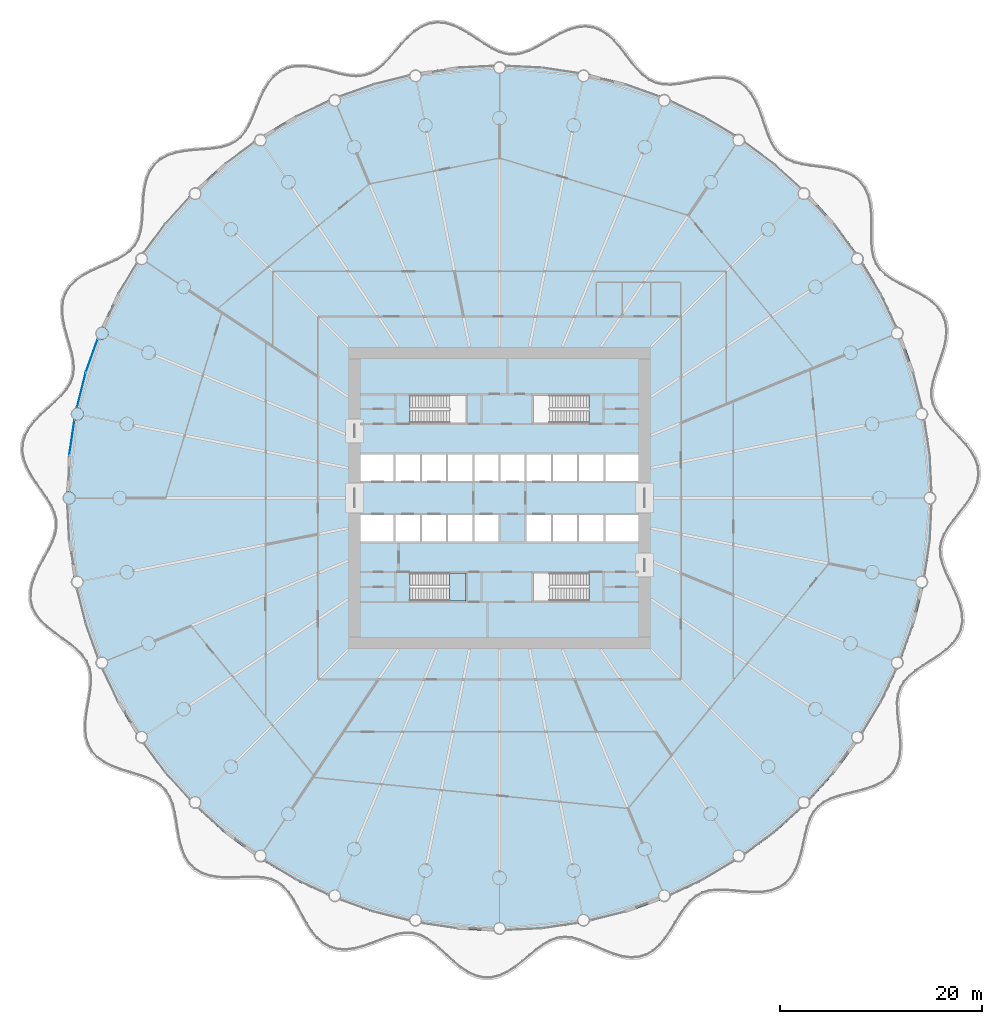
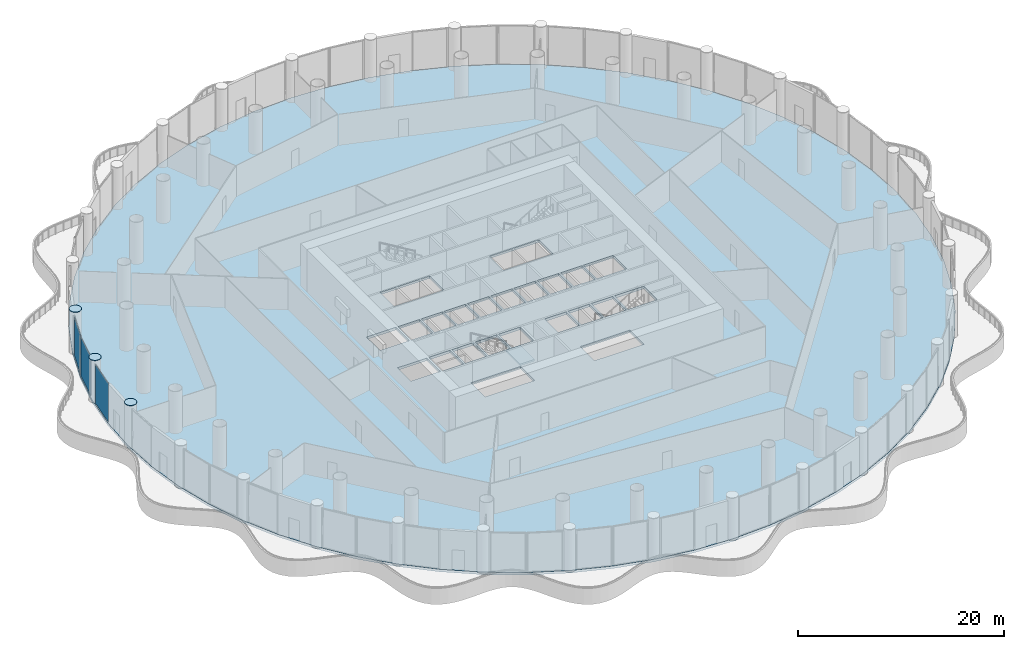
# One storey, part 20 of 38: 6 plates, 2 slabs, 4 elements without a shape of their own.
"""IFC4 building model written with IfcOpenShell, lengths in metres."""

from ifc_helpers import new_model, si_unit, direction, frame, origin, origin_2d, place, context, subcontext, project, spatial, polyline, rectangle, outline, extrude, material, layer, layer_set, type_object, element, aggregate, save


model = new_model("IFC4")

# Units and contexts
model_context = context("Model", 3, precision=1e-05, world=origin(), true_north=direction((0.0, 1.0)))
body_context = subcontext(model_context, "Body", "Model", "MODEL_VIEW")
ifc_project = project(units=[si_unit("LENGTHUNIT", "METRE"), si_unit("AREAUNIT", "SQUARE_METRE"), si_unit("VOLUMEUNIT", "CUBIC_METRE"), si_unit("PLANEANGLEUNIT", "RADIAN"), si_unit("MASSUNIT", "GRAM", prefix="KILO")], contexts=[model_context])

# Site, building, storey
site_placement = place(None, origin())
site = spatial("IfcSite", under=ifc_project, at=site_placement, CompositionType="ELEMENT")
building_placement = place(site_placement, origin())
building = spatial("IfcBuilding", under=site, at=building_placement, Name="Corvane Civic Tower", CompositionType="ELEMENT")
storey_placement = place(building_placement, frame((0.0, 0.0, 32.0)))
storey = spatial("IfcBuildingStorey", under=building, at=storey_placement, Name="L06", CompositionType="ELEMENT", Elevation=32.0)

# Plates
ifc_material_1 = material(Name="Steel ASTM A572 Gr 50", Category="steel")
ifc_layer_1 = layer(ifc_material_1, 0.050048828125)
ifc_layer_set_1 = layer_set([ifc_layer_1], Name="Steel ASTM A572 Gr 50")
plate_type_1 = type_object("IfcPlateType", Name="COLUMN CAP PLATE 50", PredefinedType="SHEET", material=ifc_layer_set_1)
plate_1_placement = place(storey_placement, frame((0.0, 0.0, 5.0)))
element("IfcPlate", 1, at=plate_1_placement, inside=storey, type_object=plate_type_1, Name="PL-L06-cap-G25", PredefinedType="SHEET", context=body_context, shape_type="SweptSolid", body=[
    extrude(outline(polyline([(-42.10009765625, 0.0), (-42.10498046875, 0.078369140625), (-42.120361328125, 0.1552734375), (-42.1455078125, 0.2294921875), (-42.180419921875, 0.300048828125), (-42.223876953125, 0.365234375), (-42.275634765625, 0.42431640625), (-42.334716796875, 0.47607421875), (-42.39990234375, 0.51953125), (-42.47021484375, 0.55419921875), (-42.544677734375, 0.57958984375), (-42.62158203125, 0.594970703125), (-42.699951171875, 0.60009765625), (-42.7783203125, 0.594970703125), (-42.855224609375, 0.57958984375), (-42.9296875, 0.55419921875), (-43.0, 0.51953125), (-43.065185546875, 0.47607421875), (-43.124267578125, 0.42431640625), (-43.176025390625, 0.365234375), (-43.219482421875, 0.300048828125), (-43.25439453125, 0.2294921875), (-43.279541015625, 0.1552734375), (-43.294921875, 0.078369140625), (-43.300048828125, 0.0), (-43.294921875, -0.078369140625), (-43.279541015625, -0.1552734375), (-43.25439453125, -0.2294921875), (-43.219482421875, -0.300048828125), (-43.176025390625, -0.365234375), (-43.124267578125, -0.42431640625), (-43.065185546875, -0.47607421875), (-43.0, -0.51953125), (-42.9296875, -0.55419921875), (-42.855224609375, -0.57958984375), (-42.7783203125, -0.594970703125), (-42.699951171875, -0.60009765625), (-42.62158203125, -0.594970703125), (-42.544677734375, -0.57958984375), (-42.47021484375, -0.55419921875), (-42.39990234375, -0.51953125), (-42.334716796875, -0.47607421875), (-42.275634765625, -0.42431640625), (-42.223876953125, -0.365234375), (-42.180419921875, -0.300048828125), (-42.1455078125, -0.2294921875), (-42.120361328125, -0.1552734375), (-42.10498046875, -0.078369140625), (-42.10009765625, 0.0)])), origin(), (0.0, 0.0, 1.0), 0.050048828125),
])
plate_2_placement = place(storey_placement, frame((0.0, 0.0, 5.0)))
element("IfcPlate", 2, at=plate_2_placement, inside=storey, type_object=plate_type_1, Name="PL-L06-cap-G26", PredefinedType="SHEET", context=body_context, shape_type="SweptSolid", body=[
    extrude(outline(polyline([(-41.279541015625, 8.330322265625), (-41.284912109375, 8.40869140625), (-41.300048828125, 8.485595703125), (-41.3251953125, 8.559814453125), (-41.360107421875, 8.63037109375), (-41.403564453125, 8.695556640625), (-41.455322265625, 8.754638671875), (-41.514404296875, 8.806396484375), (-41.57958984375, 8.849853515625), (-41.64990234375, 8.884521484375), (-41.724365234375, 8.909912109375), (-41.80126953125, 8.92529296875), (-41.879638671875, 8.930419921875), (-41.9580078125, 8.92529296875), (-42.034912109375, 8.909912109375), (-42.109130859375, 8.884521484375), (-42.1796875, 8.849853515625), (-42.244873046875, 8.806396484375), (-42.303955078125, 8.754638671875), (-42.355712890625, 8.695556640625), (-42.3994140625, 8.63037109375), (-42.43408203125, 8.559814453125), (-42.459228515625, 8.485595703125), (-42.474609375, 8.40869140625), (-42.4794921875, 8.330322265625), (-42.474609375, 8.251953125), (-42.459228515625, 8.175048828125), (-42.43408203125, 8.1005859375), (-42.3994140625, 8.0302734375), (-42.355712890625, 7.965087890625), (-42.303955078125, 7.906005859375), (-42.244873046875, 7.854248046875), (-42.1796875, 7.810791015625), (-42.109130859375, 7.77587890625), (-42.034912109375, 7.750732421875), (-41.9580078125, 7.735595703125), (-41.879638671875, 7.730224609375), (-41.80126953125, 7.735595703125), (-41.724365234375, 7.750732421875), (-41.64990234375, 7.77587890625), (-41.57958984375, 7.810791015625), (-41.514404296875, 7.854248046875), (-41.455322265625, 7.906005859375), (-41.403564453125, 7.965087890625), (-41.360107421875, 8.0302734375), (-41.3251953125, 8.1005859375), (-41.300048828125, 8.175048828125), (-41.284912109375, 8.251953125), (-41.279541015625, 8.330322265625)])), origin(), (0.0, 0.0, 1.0), 0.050048828125),
])
plate_3_placement = place(storey_placement, frame((0.0, 0.0, 5.0)))
element("IfcPlate", 3, at=plate_3_placement, inside=storey, type_object=plate_type_1, Name="PL-L06-cap-G27", PredefinedType="SHEET", context=body_context, shape_type="SweptSolid", body=[
    extrude(outline(polyline([(-38.849609375, 16.340576171875), (-38.854736328125, 16.4189453125), (-38.8701171875, 16.495849609375), (-38.8955078125, 16.5703125), (-38.93017578125, 16.640625), (-38.9736328125, 16.705810546875), (-39.025390625, 16.764892578125), (-39.08447265625, 16.816650390625), (-39.149658203125, 16.860107421875), (-39.22021484375, 16.89501953125), (-39.29443359375, 16.920166015625), (-39.371337890625, 16.935302734375), (-39.44970703125, 16.940673828125), (-39.528076171875, 16.935302734375), (-39.60498046875, 16.920166015625), (-39.67919921875, 16.89501953125), (-39.749755859375, 16.860107421875), (-39.81494140625, 16.816650390625), (-39.8740234375, 16.764892578125), (-39.92578125, 16.705810546875), (-39.96923828125, 16.640625), (-40.00390625, 16.5703125), (-40.029296875, 16.495849609375), (-40.044677734375, 16.4189453125), (-40.0498046875, 16.340576171875), (-40.044677734375, 16.26220703125), (-40.029296875, 16.185302734375), (-40.00390625, 16.111083984375), (-39.96923828125, 16.04052734375), (-39.92578125, 15.975341796875), (-39.8740234375, 15.916259765625), (-39.81494140625, 15.864501953125), (-39.749755859375, 15.821044921875), (-39.67919921875, 15.7861328125), (-39.60498046875, 15.760986328125), (-39.528076171875, 15.74560546875), (-39.44970703125, 15.740478515625), (-39.371337890625, 15.74560546875), (-39.29443359375, 15.760986328125), (-39.22021484375, 15.7861328125), (-39.149658203125, 15.821044921875), (-39.08447265625, 15.864501953125), (-39.025390625, 15.916259765625), (-38.9736328125, 15.975341796875), (-38.93017578125, 16.04052734375), (-38.8955078125, 16.111083984375), (-38.8701171875, 16.185302734375), (-38.854736328125, 16.26220703125), (-38.849609375, 16.340576171875)])), origin(), (0.0, 0.0, 1.0), 0.050048828125),
])

# Slab
ifc_material_2 = material(Name="Concrete C40/50", Category="concrete")
ifc_layer_2 = layer(ifc_material_2, 0.300048828125)
ifc_layer_set_2 = layer_set([ifc_layer_2], Name="Concrete C40/50")
slab_type_1 = type_object("IfcSlabType", Name="FLOOR SLAB 300", PredefinedType="FLOOR", material=ifc_layer_set_2)
slab_1_placement = place(storey_placement, frame((0.0, 0.0, -0.300048828125)))
element("IfcSlab", 4, at=slab_1_placement, inside=storey, type_object=slab_type_1, Name="SLB-L06", PredefinedType="FLOOR", context=body_context, shape_type="SweptSolid", body=[
    extrude(outline(polyline([(0.0, 43.0), (-4.21484375, 42.79296875), (-8.388916015625, 42.173828125), (-12.482177734375, 41.1484375), (-16.455322265625, 39.726806640625), (-20.27001953125, 37.922607421875), (-23.889404296875, 35.753173828125), (-27.27880859375, 33.239501953125), (-30.405517578125, 30.405517578125), (-33.239501953125, 27.27880859375), (-35.753173828125, 23.889404296875), (-37.922607421875, 20.27001953125), (-39.726806640625, 16.455322265625), (-41.1484375, 12.482177734375), (-42.173828125, 8.388916015625), (-42.79296875, 4.21484375), (-43.0, 0.0), (-42.79296875, -4.21484375), (-42.173828125, -8.388916015625), (-41.1484375, -12.482177734375), (-39.726806640625, -16.455322265625), (-37.922607421875, -20.27001953125), (-35.753173828125, -23.889404296875), (-33.239501953125, -27.27880859375), (-30.405517578125, -30.405517578125), (-27.27880859375, -33.239501953125), (-23.889404296875, -35.753173828125), (-20.27001953125, -37.922607421875), (-16.455322265625, -39.726806640625), (-12.482177734375, -41.1484375), (-8.388916015625, -42.173828125), (-4.21484375, -42.79296875), (0.0, -43.0), (4.21484375, -42.79296875), (8.388916015625, -42.173828125), (12.482177734375, -41.1484375), (16.455322265625, -39.726806640625), (20.27001953125, -37.922607421875), (23.889404296875, -35.753173828125), (27.27880859375, -33.239501953125), (30.405517578125, -30.405517578125), (33.239501953125, -27.27880859375), (35.753173828125, -23.889404296875), (37.922607421875, -20.27001953125), (39.726806640625, -16.455322265625), (41.1484375, -12.482177734375), (42.173828125, -8.388916015625), (42.79296875, -4.21484375), (43.0, 0.0), (42.79296875, 4.21484375), (42.173828125, 8.388916015625), (41.1484375, 12.482177734375), (39.726806640625, 16.455322265625), (37.922607421875, 20.27001953125), (35.753173828125, 23.889404296875), (33.239501953125, 27.27880859375), (30.405517578125, 30.405517578125), (27.27880859375, 33.239501953125), (23.889404296875, 35.753173828125), (20.27001953125, 37.922607421875), (16.455322265625, 39.726806640625), (12.482177734375, 41.1484375), (8.388916015625, 42.173828125), (4.21484375, 42.79296875), (0.0, 43.0)]), holes=[polyline([(-13.800048828125, 4.300048828125), (-10.5, 4.300048828125), (-10.5, 1.699951171875), (-13.800048828125, 1.699951171875), (-13.800048828125, 4.300048828125)]), polyline([(-7.89990234375, 1.699951171875), (-10.300048828125, 1.699951171875), (-10.300048828125, 4.300048828125), (-7.89990234375, 4.300048828125), (-7.89990234375, 1.699951171875)]), polyline([(-7.699951171875, 4.300048828125), (-5.300048828125, 4.300048828125), (-5.300048828125, 1.699951171875), (-7.699951171875, 1.699951171875), (-7.699951171875, 4.300048828125)]), polyline([(-5.10009765625, 4.300048828125), (-2.699951171875, 4.300048828125), (-2.699951171875, 1.699951171875), (-5.10009765625, 1.699951171875), (-5.10009765625, 4.300048828125)]), polyline([(-2.5, 4.300048828125), (-0.10009765625, 4.300048828125), (-0.10009765625, 1.699951171875), (-2.5, 1.699951171875), (-2.5, 4.300048828125)]), polyline([(2.5, 4.300048828125), (2.5, 1.699951171875), (0.10009765625, 1.699951171875), (0.10009765625, 4.300048828125), (2.5, 4.300048828125)]), polyline([(2.699951171875, 4.300048828125), (5.10009765625, 4.300048828125), (5.10009765625, 1.699951171875), (2.699951171875, 1.699951171875), (2.699951171875, 4.300048828125)]), polyline([(5.300048828125, 4.300048828125), (7.699951171875, 4.300048828125), (7.699951171875, 1.699951171875), (5.300048828125, 1.699951171875), (5.300048828125, 4.300048828125)]), polyline([(7.89990234375, 4.300048828125), (10.300048828125, 4.300048828125), (10.300048828125, 1.699951171875), (7.89990234375, 1.699951171875), (7.89990234375, 4.300048828125)]), polyline([(13.800048828125, 1.699951171875), (10.5, 1.699951171875), (10.5, 4.300048828125), (13.800048828125, 4.300048828125), (13.800048828125, 1.699951171875)]), polyline([(-13.800048828125, -1.699951171875), (-10.5, -1.699951171875), (-10.5, -4.300048828125), (-13.800048828125, -4.300048828125), (-13.800048828125, -1.699951171875)]), polyline([(-10.300048828125, -1.699951171875), (-7.89990234375, -1.699951171875), (-7.89990234375, -4.300048828125), (-10.300048828125, -4.300048828125), (-10.300048828125, -1.699951171875)]), polyline([(-7.699951171875, -1.699951171875), (-5.300048828125, -1.699951171875), (-5.300048828125, -4.300048828125), (-7.699951171875, -4.300048828125), (-7.699951171875, -1.699951171875)]), polyline([(-5.10009765625, -1.699951171875), (-2.699951171875, -1.699951171875), (-2.699951171875, -4.300048828125), (-5.10009765625, -4.300048828125), (-5.10009765625, -1.699951171875)]), polyline([(-2.5, -1.699951171875), (-0.10009765625, -1.699951171875), (-0.10009765625, -4.300048828125), (-2.5, -4.300048828125), (-2.5, -1.699951171875)]), polyline([(2.699951171875, -1.699951171875), (5.10009765625, -1.699951171875), (5.10009765625, -4.300048828125), (2.699951171875, -4.300048828125), (2.699951171875, -1.699951171875)]), polyline([(5.300048828125, -1.699951171875), (7.699951171875, -1.699951171875), (7.699951171875, -4.300048828125), (5.300048828125, -4.300048828125), (5.300048828125, -1.699951171875)]), polyline([(7.89990234375, -4.300048828125), (7.89990234375, -1.699951171875), (10.300048828125, -1.699951171875), (10.300048828125, -4.300048828125), (7.89990234375, -4.300048828125)]), polyline([(13.800048828125, -4.300048828125), (10.5, -4.300048828125), (10.5, -1.699951171875), (13.800048828125, -1.699951171875), (13.800048828125, -4.300048828125)]), polyline([(8.889892578125, 10.199951171875), (8.889892578125, 7.449951171875), (3.35009765625, 7.449951171875), (3.35009765625, 10.199951171875), (8.889892578125, 10.199951171875)]), polyline([(-8.889892578125, 7.449951171875), (-8.889892578125, 10.199951171875), (-3.35009765625, 10.199951171875), (-3.35009765625, 7.449951171875), (-8.889892578125, 7.449951171875)]), polyline([(8.889892578125, -7.449951171875), (8.889892578125, -10.199951171875), (3.35009765625, -10.199951171875), (3.35009765625, -7.449951171875), (8.889892578125, -7.449951171875)]), polyline([(-8.889892578125, -10.199951171875), (-8.889892578125, -7.449951171875), (-3.35009765625, -7.449951171875), (-3.35009765625, -10.199951171875), (-8.889892578125, -10.199951171875)])]), origin(), (0.0, 0.0, 1.0), 0.300048828125),
])

# Curtain wall, plate
ifc_material_3 = material(Name="Aluminium and glass", Category="aluminium")
curtain_wall_type = type_object("IfcCurtainWallType", Name="PODIUM-CW-P-RUN", PredefinedType="NOTDEFINED", material=ifc_material_3)
curtain_wall_1_placement = place(storey_placement, origin())
curtain_wall_1 = element("IfcCurtainWall", 5, at=curtain_wall_1_placement, inside=storey, type_object=curtain_wall_type, Name="PODI run L06-drum-25B", PredefinedType="NOTDEFINED")
ifc_material_4 = material(Name="Glass tinted low-e laminated", Category="glass")
ifc_layer_3 = layer(ifc_material_4, 0.031982421875)
ifc_layer_set_3 = layer_set([ifc_layer_3], Name="Glass tinted low-e laminated")
plate_type_2 = type_object("IfcPlateType", Name="PODIUM-CWP-PANEL-IGU32", PredefinedType="CURTAIN_PANEL", material=ifc_layer_set_3)
plate_4_placement = place(storey_placement, frame((-42.4384765625, 5.991943359375, 0.06005859375), z_axis=(0.0, 0.0, 1.0), x_axis=(0.146714694252, 0.989178850608, 0.0)))
plate_4 = element("IfcPlate", 6, at=plate_4_placement, type_object=plate_type_2, Name="CW-P panel 1.1", PredefinedType="CURTAIN_PANEL", context=body_context, shape_type="SweptSolid", body=[
    extrude(rectangle(XDim=3.459716796875, YDim=0.031982421875, at=origin_2d()), origin(), (0.0, 0.0, 1.0), 4.580078125),
])
aggregate(curtain_wall_1, [plate_4])

curtain_wall_2_placement = place(storey_placement, origin())
curtain_wall_2 = element("IfcCurtainWall", 7, at=curtain_wall_2_placement, inside=storey, type_object=curtain_wall_type, Name="PODI run L06-drum-26A", PredefinedType="NOTDEFINED")
plate_5_placement = place(storey_placement, frame((-41.5009765625, 10.70458984375, 0.06005859375), z_axis=(0.0, 0.0, 1.0), x_axis=(0.243008852393, 0.970024070659, 0.0)))
plate_5 = element("IfcPlate", 8, at=plate_5_placement, type_object=plate_type_2, Name="CW-P panel 1.1", PredefinedType="CURTAIN_PANEL", context=body_context, shape_type="SweptSolid", body=[
    extrude(rectangle(XDim=3.459716796875, YDim=0.031982421875, at=origin_2d()), origin(), (0.0, 0.0, 1.0), 4.580078125),
])
aggregate(curtain_wall_2, [plate_5])

curtain_wall_3_placement = place(storey_placement, origin())
curtain_wall_3 = element("IfcCurtainWall", 9, at=curtain_wall_3_placement, inside=storey, type_object=curtain_wall_type, Name="PODI run L06-drum-26B", PredefinedType="NOTDEFINED")
plate_6_placement = place(storey_placement, frame((-40.453857421875, 14.156005859375, 0.06005859375), z_axis=(0.0, 0.0, 1.0), x_axis=(0.336918534123, 0.941533802561, 0.0)))
plate_6 = element("IfcPlate", 10, at=plate_6_placement, type_object=plate_type_2, Name="CW-P panel 1.1", PredefinedType="CURTAIN_PANEL", context=body_context, shape_type="SweptSolid", body=[
    extrude(rectangle(XDim=3.459716796875, YDim=0.031982421875, at=origin_2d()), origin(), (0.0, 0.0, 1.0), 4.580078125),
])
aggregate(curtain_wall_3, [plate_6])

# Stair, slab
ifc_material_5 = material(Name="Concrete C40/50", Category="concrete")
stair_type = type_object("IfcStairType", Name="ST-STAIR-HALFTURN", PredefinedType="HALF_TURN_STAIR", material=ifc_material_5)
stair_placement = place(storey_placement, origin())
stair = element("IfcStair", 11, at=stair_placement, inside=storey, type_object=stair_type, Name="L06 Exit stair ST3", PredefinedType="HALF_TURN_STAIR")
ifc_material_6 = material(Name="Concrete C40/50", Category="concrete")
ifc_layer_4 = layer(ifc_material_6, 0.199951171875)
ifc_layer_set_4 = layer_set([ifc_layer_4], Name="Concrete C40/50")
slab_type_2 = type_object("IfcSlabType", Name="ST-LANDING-RC", PredefinedType="LANDING", material=ifc_layer_set_4)
slab_2_placement = place(storey_placement, frame((0.0, 0.0, 2.300048828125)))
slab_2 = element("IfcSlab", 12, at=slab_2_placement, type_object=slab_type_2, Name="ST3 landing 1", PredefinedType="LANDING", context=body_context, shape_type="SweptSolid", body=[
    extrude(outline(polyline([(-4.97998046875, -10.199951171875), (-3.35009765625, -10.199951171875), (-3.35009765625, -7.449951171875), (-4.97998046875, -7.449951171875), (-4.97998046875, -10.199951171875)])), origin(), (0.0, 0.0, 1.0), 0.199951171875),
])
aggregate(stair, [slab_2])

save(model, "model.ifc")
